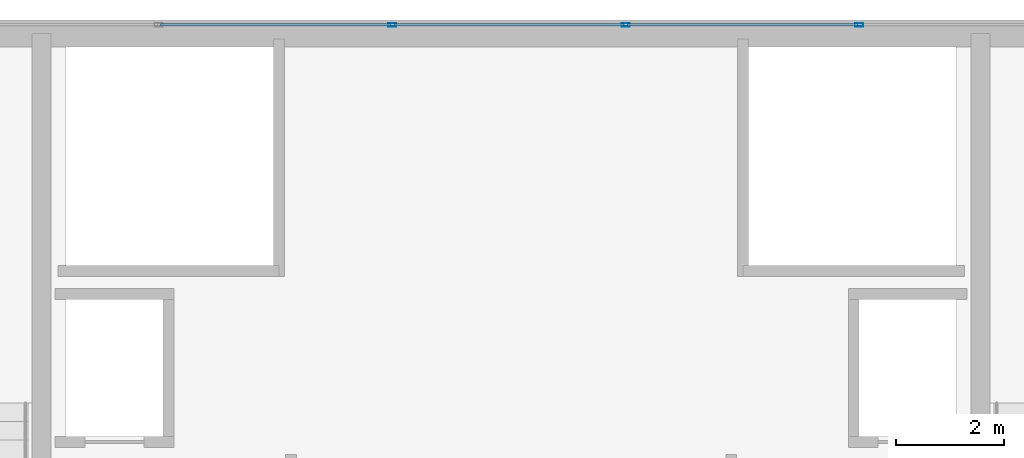
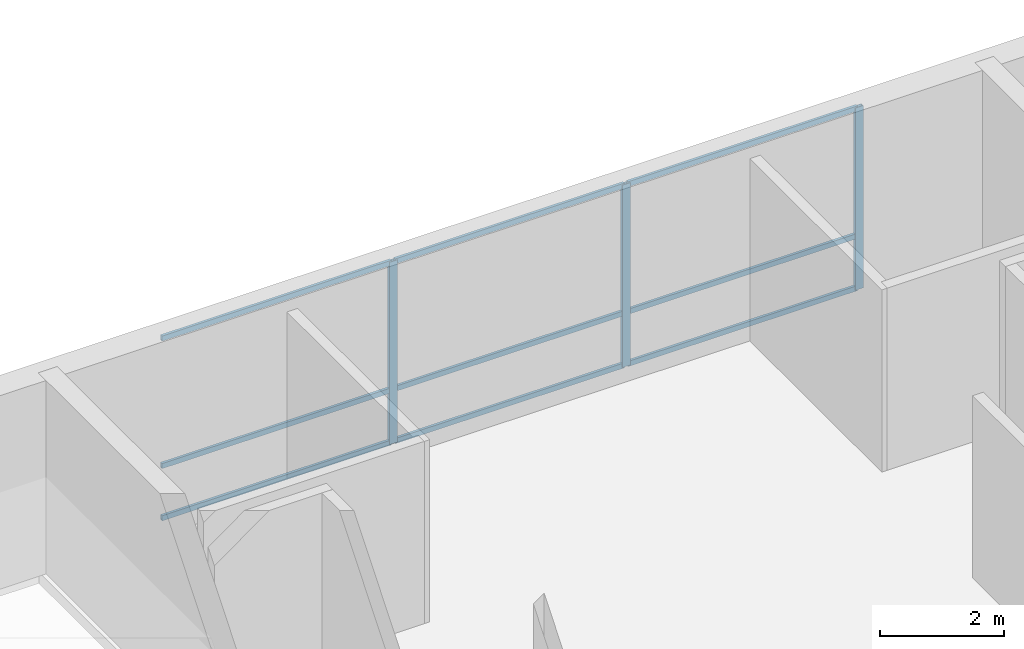
# One storey, part 27 of 36: 12 members, 1 element without a shape of its own.
"""IFC4 building model written with IfcOpenShell, lengths in metres."""

from ifc_helpers import new_model, si_unit, direction, frame, origin, origin_2d, place, context, subcontext, project, spatial, hollow_rectangle, extrude, source, transform, mapped, material, layer, layer_set, material_profile, profile_set, type_object, type_shapes, element, aggregate, save


model = new_model("IFC4")

# Units and contexts
model_context = context("Model", 3, precision=1e-05, world=origin(), true_north=direction((0.0, 1.0)))
body_context = subcontext(model_context, "Body", "Model", "MODEL_VIEW")
ifc_project = project(units=[si_unit("LENGTHUNIT", "METRE"), si_unit("AREAUNIT", "SQUARE_METRE"), si_unit("VOLUMEUNIT", "CUBIC_METRE"), si_unit("PLANEANGLEUNIT", "RADIAN"), si_unit("MASSUNIT", "GRAM", prefix="KILO")], contexts=[model_context])

# Site, building, storey
site_placement = place(None, origin())
site = spatial("IfcSite", under=ifc_project, at=site_placement, CompositionType="ELEMENT")
building_placement = place(site_placement, origin())
building = spatial("IfcBuilding", under=site, at=building_placement, Name="Tolvann Quenvar Hotel", CompositionType="ELEMENT")
storey_placement = place(building_placement, frame((0.0, 0.0, 298.550048828125)))
storey = spatial("IfcBuildingStorey", under=building, at=storey_placement, Name="L79", CompositionType="ELEMENT", Elevation=298.550048828125)

# Curtain wall, members
ifc_material_1 = material(Name="Thermally broken anodised architectural aluminium 6063-T6 and laminated low-E glass", Category="aluminium")
ifc_layer = layer(ifc_material_1, 0.179931640625)
ifc_layer_set = layer_set([ifc_layer], Name="Thermally broken anodised architectural aluminium 6063-T6 and laminated low-E glass")
curtain_wall_type = type_object("IfcCurtainWallType", Name="CW_SYS_LANT_06", PredefinedType="USERDEFINED", material=ifc_layer_set)
curtain_wall_placement = place(storey_placement, origin())
curtain_wall = element("IfcCurtainWall", 1, at=curtain_wall_placement, inside=storey, type_object=curtain_wall_type, Name="Curtain Wall CW-LANT-06 (CWR-L79-E14)", ObjectType="UNITISED CURTAIN WALL", PredefinedType="USERDEFINED")
ifc_material_2 = material(Name="Anodised architectural aluminium 6063-T6 framing", Category="aluminium")
ifc_material_profile_1 = material_profile(ifc_material_2, hollow_rectangle(XDim=0.050048828125, YDim=0.10009765625, WallThickness=0.0029296875, at=origin_2d()), Name="100x50x3RHS")
ifc_profile_set_1 = profile_set([ifc_material_profile_1], Name="Anodised architectural aluminium 6063-T6 framing")
member_type_1 = type_object("IfcMemberType", Name="CW_TRAN_100x50", PredefinedType="USERDEFINED", material=ifc_profile_set_1)
shared_shape_1 = source(origin(), body_context, "Body", "SweptSolid", [
    extrude(hollow_rectangle(XDim=0.050048828125, YDim=0.10009765625, WallThickness=0.0029296875, at=origin_2d()), origin(), (0.0, 0.0, 1.0), 4.2626953125),
])
member_1_placement = place(storey_placement, frame((25.09521484375, 44.110107421875, 0.02490234375), z_axis=(-1.0, 0.0, 0.0), x_axis=(0.0, -1.0, 0.0)))
member_1 = element("IfcMember", 2, at=member_1_placement, type_object=member_type_1, Name="CW-LANT-06 transom 3.1", ObjectType="TRANSOM", PredefinedType="USERDEFINED", context=body_context, shape_type="MappedRepresentation", body=[
    mapped(shared_shape_1, transform((0.0, 0.0, 0.0), x_axis=(1.0, 0.0, 0.0), y_axis=(0.0, 1.0, 0.0), z_axis=(0.0, 0.0, 1.0), scale=1.0)),
])
member_2_placement = place(storey_placement, frame((25.09521484375, 44.110107421875, 1.050048828125), z_axis=(-1.0, 0.0, 0.0), x_axis=(0.0, -1.0, 0.0)))
member_2 = element("IfcMember", 3, at=member_2_placement, type_object=member_type_1, Name="CW-LANT-06 transom 3.2", ObjectType="TRANSOM", PredefinedType="USERDEFINED", context=body_context, shape_type="MappedRepresentation", body=[
    mapped(shared_shape_1, transform((0.0, 0.0, 0.0), x_axis=(1.0, 0.0, 0.0), y_axis=(0.0, 1.0, 0.0), z_axis=(0.0, 0.0, 1.0), scale=1.0)),
])
member_3_placement = place(storey_placement, frame((25.09521484375, 44.110107421875, 3.554931640625), z_axis=(-1.0, 0.0, 0.0), x_axis=(0.0, -1.0, 0.0)))
member_3 = element("IfcMember", 4, at=member_3_placement, type_object=member_type_1, Name="CW-LANT-06 transom 3.3", ObjectType="TRANSOM", PredefinedType="USERDEFINED", context=body_context, shape_type="MappedRepresentation", body=[
    mapped(shared_shape_1, transform((0.0, 0.0, 0.0), x_axis=(1.0, 0.0, 0.0), y_axis=(0.0, 1.0, 0.0), z_axis=(0.0, 0.0, 1.0), scale=1.0)),
])
member_4_placement = place(storey_placement, frame((20.767578125, 44.110107421875, 0.02490234375), z_axis=(-1.0, 0.0, 0.0), x_axis=(0.0, -1.0, 0.0)))
member_4 = element("IfcMember", 5, at=member_4_placement, type_object=member_type_1, Name="CW-LANT-06 transom 4.1", ObjectType="TRANSOM", PredefinedType="USERDEFINED", context=body_context, shape_type="MappedRepresentation", body=[
    mapped(shared_shape_1, transform((0.0, 0.0, 0.0), x_axis=(1.0, 0.0, 0.0), y_axis=(0.0, 1.0, 0.0), z_axis=(0.0, 0.0, 1.0), scale=1.0)),
])
member_5_placement = place(storey_placement, frame((20.767578125, 44.110107421875, 1.050048828125), z_axis=(-1.0, 0.0, 0.0), x_axis=(0.0, -1.0, 0.0)))
member_5 = element("IfcMember", 6, at=member_5_placement, type_object=member_type_1, Name="CW-LANT-06 transom 4.2", ObjectType="TRANSOM", PredefinedType="USERDEFINED", context=body_context, shape_type="MappedRepresentation", body=[
    mapped(shared_shape_1, transform((0.0, 0.0, 0.0), x_axis=(1.0, 0.0, 0.0), y_axis=(0.0, 1.0, 0.0), z_axis=(0.0, 0.0, 1.0), scale=1.0)),
])
member_6_placement = place(storey_placement, frame((20.767578125, 44.110107421875, 3.554931640625), z_axis=(-1.0, 0.0, 0.0), x_axis=(0.0, -1.0, 0.0)))
member_6 = element("IfcMember", 7, at=member_6_placement, type_object=member_type_1, Name="CW-LANT-06 transom 4.3", ObjectType="TRANSOM", PredefinedType="USERDEFINED", context=body_context, shape_type="MappedRepresentation", body=[
    mapped(shared_shape_1, transform((0.0, 0.0, 0.0), x_axis=(1.0, 0.0, 0.0), y_axis=(0.0, 1.0, 0.0), z_axis=(0.0, 0.0, 1.0), scale=1.0)),
])
shared_shape_2 = source(origin(), body_context, "Body", "SweptSolid", [
    extrude(hollow_rectangle(XDim=0.050048828125, YDim=0.10009765625, WallThickness=0.0029296875, at=origin_2d()), origin(), (0.0, 0.0, 1.0), 4.262451171875),
])
type_shapes(member_type_1, [shared_shape_1, shared_shape_2])
member_7_placement = place(storey_placement, frame((29.422607421875, 44.110107421875, 0.02490234375), z_axis=(-1.0, 0.0, 0.0), x_axis=(0.0, -1.0, 0.0)))
member_7 = element("IfcMember", 8, at=member_7_placement, type_object=member_type_1, Name="CW-LANT-06 transom 2.1", ObjectType="TRANSOM", PredefinedType="USERDEFINED", context=body_context, shape_type="MappedRepresentation", body=[
    mapped(shared_shape_2, transform((0.0, 0.0, 0.0), x_axis=(1.0, 0.0, 0.0), y_axis=(0.0, 1.0, 0.0), z_axis=(0.0, 0.0, 1.0), scale=1.0)),
])
member_8_placement = place(storey_placement, frame((29.422607421875, 44.110107421875, 1.050048828125), z_axis=(-1.0, 0.0, 0.0), x_axis=(0.0, -1.0, 0.0)))
member_8 = element("IfcMember", 9, at=member_8_placement, type_object=member_type_1, Name="CW-LANT-06 transom 2.2", ObjectType="TRANSOM", PredefinedType="USERDEFINED", context=body_context, shape_type="MappedRepresentation", body=[
    mapped(shared_shape_2, transform((0.0, 0.0, 0.0), x_axis=(1.0, 0.0, 0.0), y_axis=(0.0, 1.0, 0.0), z_axis=(0.0, 0.0, 1.0), scale=1.0)),
])
member_9_placement = place(storey_placement, frame((29.422607421875, 44.110107421875, 3.554931640625), z_axis=(-1.0, 0.0, 0.0), x_axis=(0.0, -1.0, 0.0)))
member_9 = element("IfcMember", 10, at=member_9_placement, type_object=member_type_1, Name="CW-LANT-06 transom 2.3", ObjectType="TRANSOM", PredefinedType="USERDEFINED", context=body_context, shape_type="MappedRepresentation", body=[
    mapped(shared_shape_2, transform((0.0, 0.0, 0.0), x_axis=(1.0, 0.0, 0.0), y_axis=(0.0, 1.0, 0.0), z_axis=(0.0, 0.0, 1.0), scale=1.0)),
])
ifc_material_profile_2 = material_profile(ifc_material_2, hollow_rectangle(XDim=0.06494140625, YDim=0.14990234375, WallThickness=0.00390625, at=origin_2d()), Name="150x65x4RHS")
ifc_profile_set_2 = profile_set([ifc_material_profile_2], Name="Anodised architectural aluminium 6063-T6 framing")
member_type_2 = type_object("IfcMemberType", Name="CW_MULL_150x65", PredefinedType="MULLION", material=ifc_profile_set_2)
shared_shape_3 = source(origin(), body_context, "Body", "SweptSolid", [
    extrude(hollow_rectangle(XDim=0.06494140625, YDim=0.14990234375, WallThickness=0.00390625, at=origin_2d()), origin(), (0.0, 0.0, 1.0), 3.579833984375),
])
type_shapes(member_type_2, [shared_shape_3])
member_10_placement = place(storey_placement, frame((29.455078125, 44.110107421875, 0.0), z_axis=(0.0, 0.0, 1.0), x_axis=(0.0, -1.0, 0.0)))
member_10 = element("IfcMember", 11, at=member_10_placement, type_object=member_type_2, Name="CW-LANT-06 mullion 2", PredefinedType="MULLION", context=body_context, shape_type="MappedRepresentation", body=[
    mapped(shared_shape_3, transform((0.0, 0.0, 0.0), x_axis=(1.0, 0.0, 0.0), y_axis=(0.0, 1.0, 0.0), z_axis=(0.0, 0.0, 1.0), scale=1.0)),
])
member_11_placement = place(storey_placement, frame((25.127685546875, 44.110107421875, 0.0), z_axis=(0.0, 0.0, 1.0), x_axis=(0.0, -1.0, 0.0)))
member_11 = element("IfcMember", 12, at=member_11_placement, type_object=member_type_2, Name="CW-LANT-06 mullion 3", PredefinedType="MULLION", context=body_context, shape_type="MappedRepresentation", body=[
    mapped(shared_shape_3, transform((0.0, 0.0, 0.0), x_axis=(1.0, 0.0, 0.0), y_axis=(0.0, 1.0, 0.0), z_axis=(0.0, 0.0, 1.0), scale=1.0)),
])
member_12_placement = place(storey_placement, frame((20.800048828125, 44.110107421875, 0.0), z_axis=(0.0, 0.0, 1.0), x_axis=(0.0, -1.0, 0.0)))
member_12 = element("IfcMember", 13, at=member_12_placement, type_object=member_type_2, Name="CW-LANT-06 mullion 4", PredefinedType="MULLION", context=body_context, shape_type="MappedRepresentation", body=[
    mapped(shared_shape_3, transform((0.0, 0.0, 0.0), x_axis=(1.0, 0.0, 0.0), y_axis=(0.0, 1.0, 0.0), z_axis=(0.0, 0.0, 1.0), scale=1.0)),
])
aggregate(curtain_wall, [member_10, member_11, member_12, member_7, member_8, member_9, member_1, member_2, member_3, member_4, member_5, member_6])

save(model, "model.ifc")
